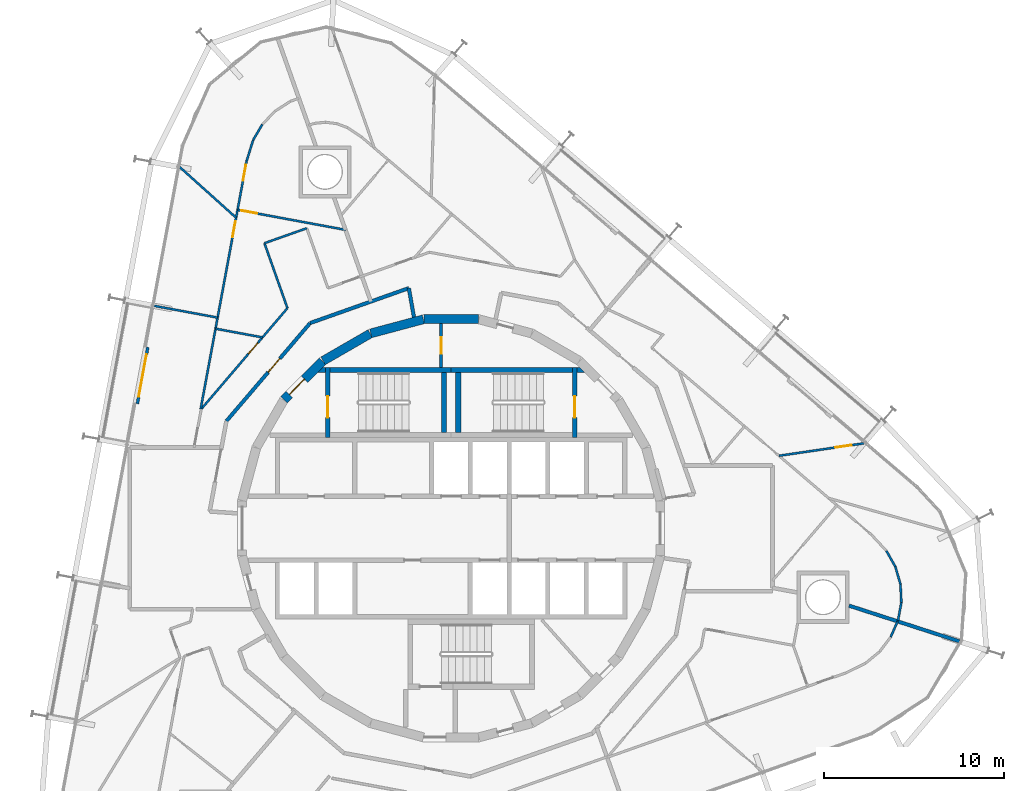
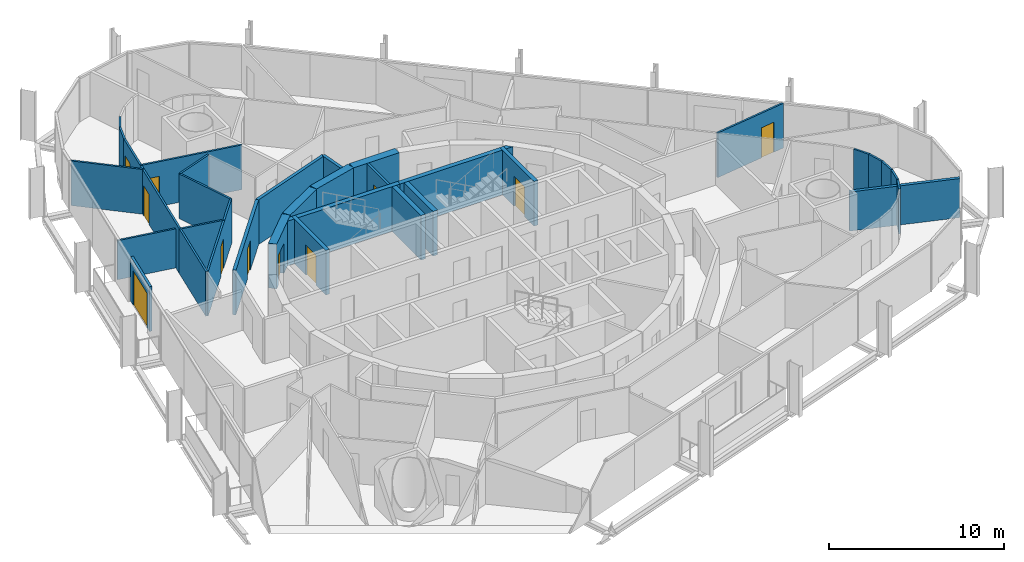
# One storey, part 14 of 17: 35 walls, 11 doors, 11 openings.
"""IFC4 building model written with IfcOpenShell, lengths in metres."""

from ifc_helpers import new_model, si_unit, direction, frame, frame_2d, origin, place, context, subcontext, project, spatial, polyline, rectangle, outline, extrude, material, layer, layer_set, type_object, element, fill, save


model = new_model("IFC4")

# Units and contexts
model_context = context("Model", 3, precision=1e-05, world=origin(), true_north=direction((0.0, 1.0)))
body_context = subcontext(model_context, "Body", "Model", "MODEL_VIEW")
ifc_project = project(units=[si_unit("LENGTHUNIT", "METRE"), si_unit("AREAUNIT", "SQUARE_METRE"), si_unit("VOLUMEUNIT", "CUBIC_METRE"), si_unit("PLANEANGLEUNIT", "RADIAN"), si_unit("MASSUNIT", "GRAM", prefix="KILO")], contexts=[model_context])

# Site, building, storey
site_placement = place(None, origin())
site = spatial("IfcSite", under=ifc_project, at=site_placement, CompositionType="ELEMENT")
building_placement = place(site_placement, origin())
building = spatial("IfcBuilding", under=site, at=building_placement, Name="Spindle Arch Residences", CompositionType="ELEMENT")
storey_placement = place(building_placement, frame((0.0, 0.0, 162.199951171875)))
storey = spatial("IfcBuildingStorey", under=building, at=storey_placement, Name="L40", CompositionType="ELEMENT", Elevation=162.199951171875)

# Walls
ifc_material_1 = material(Name="Concrete C50/60", Category="concrete")
ifc_layer_1 = layer(ifc_material_1, 0.5)
ifc_layer_set_1 = layer_set([ifc_layer_1], Name="Core outline wall 500")
wall_type_1 = type_object("IfcWallType", Name="Core outline wall 500", PredefinedType="SHEAR", material=ifc_layer_set_1)
for number, where, z_axis, x_axis, name in (
    (1, (1.516357421875, 11.647216796875, 0.0), (0.0, 0.0, 1.0), (-1.0, 0.0, 0.0), "Core outline wall 12"),
    (2, (-1.5498046875, 11.642822265625, 0.0), (0.0, 0.0, 1.0), (-0.965948410781, -0.258734743916, 0.0), "Core outline wall 13"),
    (3, (-4.510498046875, 10.84521484375, 0.0), (0.0, 0.0, 1.0), (-0.865975092491, -0.500087131594, 0.0), "Core outline wall 14"),
):
    element("IfcWall", number, at=place(storey_placement, frame(where, z_axis=z_axis, x_axis=x_axis)), inside=storey, type_object=wall_type_1, Name=name, PredefinedType="SHEAR", context=body_context, shape_type="SweptSolid", body=[
        extrude(rectangle(XDim=3.03271484375, YDim=0.5, at=frame_2d((1.516357421875, 0.0))), origin(), (0.0, 0.0, 1.0), 3.1201171875),
    ])

# Wall, opening, door
wall_1_placement = place(storey_placement, frame((-7.163818359375, 9.30810546875, 0.0), z_axis=(0.0, 0.0, 1.0), x_axis=(-0.707106781187, -0.707106781187, 0.0)))
wall_1 = element("IfcWall", 4, at=wall_1_placement, inside=storey, type_object=wall_type_1, Name="Core outline wall 15", PredefinedType="SHEAR", context=body_context, shape_type="SweptSolid", body=[
    extrude(rectangle(XDim=3.032470703125, YDim=0.5, at=frame_2d((1.51611328125, 0.0))), origin(), (0.0, 0.0, 1.0), 3.1201171875),
])
opening_1_placement = place(wall_1_placement, frame((1.416259765625, 0.0, 0.0)))
opening_1 = element("IfcOpeningElement", 5, at=opening_1_placement, cuts=wall_1, Name="Opening R4B1-AD02", PredefinedType="OPENING", context=body_context, shape_type="SweptSolid", body=[
    extrude(rectangle(XDim=1.199951171875, YDim=2.10009765625, at=frame_2d((0.60009765625, 1.050048828125))), frame((0.0, 0.260009765625, 0.0), z_axis=(0.0, -1.0, 0.0), x_axis=(1.0, 0.0, 0.0)), (0.0, 0.0, 1.0), 0.52001953125),
])
ifc_material_2 = material(Name="Steel, fire-resisting door", Category="steel")
door_type_1 = type_object("IfcDoorType", Name="Stair airlock door 1200x2100", OperationType="SINGLE_SWING_LEFT", PredefinedType="DOOR", material=ifc_material_2)
door_1_placement = place(opening_1_placement, origin())
door_1 = element("IfcDoor", 6, at=door_1_placement, inside=storey, type_object=door_type_1, Name="Stair airlock door R4B1-AD02", OperationType="SINGLE_SWING_RIGHT", OverallHeight=2.10009765625, OverallWidth=1.199951171875, PredefinedType="DOOR", context=body_context, shape_type="SweptSolid", body=[
    extrude(rectangle(XDim=1.199951171875, YDim=2.10009765625, at=frame_2d((0.60009765625, 1.050048828125))), frame((0.0, 0.02490234375, 0.0), z_axis=(0.0, -1.0, 0.0), x_axis=(1.0, 0.0, 0.0)), (0.0, 0.0, 1.0), 0.050048828125),
])
fill(opening_1, door_1)

# Walls
ifc_material_3 = material(Name="Calcium silicate block, plastered")
ifc_layer_2 = layer(ifc_material_3, 0.199951171875)
ifc_layer_set_2 = layer_set([ifc_layer_2], Name="Corridor wall 200")
wall_type_2 = type_object("IfcWallType", Name="Corridor wall 200", PredefinedType="STANDARD", material=ifc_layer_set_2)
wall_2_placement = place(storey_placement, frame((-2.07373046875, 11.76123046875, 0.0), z_axis=(0.0, 0.0, 1.0), x_axis=(-0.1736412798, 0.984808969267, 0.0)))
element("IfcWall", 7, at=wall_2_placement, inside=storey, type_object=wall_type_2, Name="Corridor wall R4B1-W009", PredefinedType="STANDARD", context=body_context, shape_type="SweptSolid", body=[
    extrude(rectangle(XDim=1.6435546875, YDim=0.199951171875, at=frame_2d((0.82177734375, 0.0))), origin(), (0.0, 0.0, 1.0), 3.1201171875),
])
wall_3_placement = place(storey_placement, frame((-2.359130859375, 13.3798828125, 0.0), z_axis=(0.0, 0.0, 1.0), x_axis=(-0.942647529236, -0.333789807551, 0.0)))
element("IfcWall", 8, at=wall_3_placement, inside=storey, type_object=wall_type_2, Name="Corridor wall R4B1-W010", PredefinedType="STANDARD", context=body_context, shape_type="SweptSolid", body=[
    extrude(rectangle(XDim=5.8330078125, YDim=0.199951171875, at=frame_2d((2.91650390625, 0.0))), origin(), (0.0, 0.0, 1.0), 3.1201171875),
])

# Wall, opening, door
wall_4_placement = place(storey_placement, frame((-7.857666015625, 11.432861328125, 0.0), z_axis=(0.0, 0.0, 1.0), x_axis=(-0.649440801937, -0.760412154545, 0.0)))
wall_4 = element("IfcWall", 9, at=wall_4_placement, inside=storey, type_object=wall_type_2, Name="Corridor wall R4B1-W011", PredefinedType="STANDARD", context=body_context, shape_type="SweptSolid", body=[
    extrude(rectangle(XDim=7.180908203125, YDim=0.199951171875, at=frame_2d((3.59033203125, 0.0))), origin(), (0.0, 0.0, 1.0), 3.1201171875),
])
opening_2_placement = place(wall_4_placement, frame((2.60009765625, 0.0, 0.0)))
opening_2 = element("IfcOpeningElement", 10, at=opening_2_placement, cuts=wall_4, Name="Opening R4B1-FD03", PredefinedType="OPENING", context=body_context, shape_type="SweptSolid", body=[
    extrude(rectangle(XDim=1.0, YDim=2.10009765625, at=frame_2d((0.5, 1.050048828125))), frame((0.0, 0.10986328125, 0.0), z_axis=(0.0, -1.0, 0.0), x_axis=(1.0, 0.0, 0.0)), (0.0, 0.0, 1.0), 0.219970703125),
])
ifc_material_4 = material(Name="Timber, fire-resisting door set", Category="wood")
door_type_2 = type_object("IfcDoorType", Name="Flat entrance door 1000x2100", OperationType="NOTDEFINED", PredefinedType="DOOR", material=ifc_material_4)
door_2_placement = place(opening_2_placement, origin())
door_2 = element("IfcDoor", 11, at=door_2_placement, inside=storey, type_object=door_type_2, Name="Flat entrance door R4B1-FD03", OperationType="SINGLE_SWING_LEFT", OverallHeight=2.10009765625, OverallWidth=1.0, PredefinedType="DOOR", context=body_context, shape_type="SweptSolid", body=[
    extrude(rectangle(XDim=1.0, YDim=2.10009765625, at=frame_2d((0.5, 1.050048828125))), frame((0.0, 0.02490234375, 0.0), z_axis=(0.0, -1.0, 0.0), x_axis=(1.0, 0.0, 0.0)), (0.0, 0.0, 1.0), 0.050048828125),
])
fill(opening_2, door_2)

ifc_material_5 = material(Name="Plasterboard on steel studs", Category="steel")
ifc_layer_3 = layer(ifc_material_5, 0.1201171875)
ifc_layer_set_3 = layer_set([ifc_layer_3], Name="Flat partition 120")
wall_type_3 = type_object("IfcWallType", Name="Flat partition 120", PredefinedType="PARTITIONING", material=ifc_layer_set_3)
wall_5_placement = place(storey_placement, frame((22.99365234375, 4.73388671875, 0.0), z_axis=(0.0, 0.0, 1.0), x_axis=(-0.989449286977, -0.144879634529, 0.0)))
wall_5 = element("IfcWall", 12, at=wall_5_placement, inside=storey, type_object=wall_type_3, Name="Flat partition R4B1-W046", PredefinedType="PARTITIONING", context=body_context, shape_type="SweptSolid", body=[
    extrude(rectangle(XDim=4.782470703125, YDim=0.1201171875, at=frame_2d((2.39111328125, 0.0))), origin(), (0.0, 0.0, 1.0), 3.1201171875),
])
opening_3_placement = place(wall_5_placement, frame((0.699951171875, 0.0, 0.0)))
opening_3 = element("IfcOpeningElement", 13, at=opening_3_placement, cuts=wall_5, Name="Opening R4B1-ID03", PredefinedType="OPENING", context=body_context, shape_type="SweptSolid", body=[
    extrude(rectangle(XDim=0.89990234375, YDim=2.10009765625, at=frame_2d((0.449951171875, 1.050048828125))), frame((0.0, 0.070068359375, 0.0), z_axis=(0.0, -1.0, 0.0), x_axis=(1.0, 0.0, 0.0)), (0.0, 0.0, 1.0), 0.14013671875),
])
ifc_material_6 = material(Name="Timber door set", Category="wood")
door_type_3 = type_object("IfcDoorType", Name="Room door 900x2100", OperationType="NOTDEFINED", PredefinedType="DOOR", material=ifc_material_6)
door_3_placement = place(opening_3_placement, origin())
door_3 = element("IfcDoor", 14, at=door_3_placement, inside=storey, type_object=door_type_3, Name="Room door R4B1-ID03", OperationType="SINGLE_SWING_LEFT", OverallHeight=2.10009765625, OverallWidth=0.89990234375, PredefinedType="DOOR", context=body_context, shape_type="SweptSolid", body=[
    extrude(rectangle(XDim=0.89990234375, YDim=2.10009765625, at=frame_2d((0.449951171875, 1.050048828125))), frame((0.0, 0.02490234375, 0.0), z_axis=(0.0, -1.0, 0.0), x_axis=(1.0, 0.0, 0.0)), (0.0, 0.0, 1.0), 0.050048828125),
])
fill(opening_3, door_3)

# Walls
for number, where, z_axis, x_axis, name in (
    (15, (24.893798828125, -5.130615234375, 0.0), (0.0, 0.0, 1.0), (0.182140887528, 0.983272442963, 0.0), "Flat partition R4B1-W048"),
    (16, (25.078857421875, -4.131591796875, 0.0), (0.0, 0.0, 1.0), (-0.049494233422, 0.998774409393, 0.0), "Flat partition R4B1-W049"),
):
    element("IfcWall", number, at=place(storey_placement, frame(where, z_axis=z_axis, x_axis=x_axis)), inside=storey, type_object=wall_type_3, Name=name, PredefinedType="PARTITIONING", context=body_context, shape_type="SweptSolid", body=[
        extrude(rectangle(XDim=1.01611328125, YDim=0.1201171875, at=frame_2d((0.508056640625, 0.0))), origin(), (0.0, 0.0, 1.0), 3.1201171875),
    ])
for number, where, z_axis, x_axis, name in (
    (17, (25.028564453125, -3.11669921875, 0.0), (0.0, 0.0, 1.0), (-0.278559922069, 0.96041885124, 0.0), "Flat partition R4B1-W050"),
    (18, (24.74560546875, -2.14111328125, 0.0), (0.0, 0.0, 1.0), (-0.492199796518, 0.870482257319, 0.0), "Flat partition R4B1-W051"),
):
    element("IfcWall", number, at=place(storey_placement, frame(where, z_axis=z_axis, x_axis=x_axis)), inside=storey, type_object=wall_type_3, Name=name, PredefinedType="PARTITIONING", context=body_context, shape_type="SweptSolid", body=[
        extrude(rectangle(XDim=1.015869140625, YDim=0.1201171875, at=frame_2d((0.5078125, 0.0))), origin(), (0.0, 0.0, 1.0), 3.1201171875),
    ])
wall_6_placement = place(storey_placement, frame((-8.045166015625, 16.71630859375, 0.0), z_axis=(0.0, 0.0, 1.0), x_axis=(-0.942640030216, -0.333810984592, 0.0)))
element("IfcWall", 19, at=wall_6_placement, inside=storey, type_object=wall_type_3, Name="Flat partition R4B1-W069", PredefinedType="PARTITIONING", context=body_context, shape_type="SweptSolid", body=[
    extrude(rectangle(XDim=2.499755859375, YDim=0.1201171875, at=frame_2d((1.25, 0.0))), origin(), (0.0, 0.0, 1.0), 3.1201171875),
])
wall_7_placement = place(storey_placement, frame((-10.401611328125, 15.8818359375, 0.0), z_axis=(0.0, 0.0, 1.0), x_axis=(0.33382476952, -0.942635148536, 0.0)))
element("IfcWall", 20, at=wall_7_placement, inside=storey, type_object=wall_type_3, Name="Flat partition R4B1-W070", PredefinedType="PARTITIONING", context=body_context, shape_type="SweptSolid", body=[
    extrude(rectangle(XDim=3.838134765625, YDim=0.1201171875, at=frame_2d((1.9189453125, 0.0))), origin(), (0.0, 0.0, 1.0), 3.1201171875),
])

# Wall, opening, door
wall_8_placement = place(storey_placement, frame((-9.120361328125, 12.263916015625, 0.0), z_axis=(0.0, 0.0, 1.0), x_axis=(-0.649444490942, -0.760409003882, 0.0)))
wall_8 = element("IfcWall", 21, at=wall_8_placement, inside=storey, type_object=wall_type_3, Name="Flat partition R4B1-W071", PredefinedType="PARTITIONING", context=body_context, shape_type="SweptSolid", body=[
    extrude(rectangle(XDim=7.394775390625, YDim=0.1201171875, at=frame_2d((3.697265625, 0.0))), origin(), (0.0, 0.0, 1.0), 3.1201171875),
])
opening_4_placement = place(wall_8_placement, frame((2.54150390625, 0.0, 0.0)))
opening_4 = element("IfcOpeningElement", 22, at=opening_4_placement, cuts=wall_8, Name="Opening R4B1-BD03", PredefinedType="OPENING", context=body_context, shape_type="SweptSolid", body=[
    extrude(rectangle(XDim=0.800048828125, YDim=2.10009765625, at=frame_2d((0.39990234375, 1.050048828125))), frame((0.0, 0.070068359375, 0.0), z_axis=(0.0, -1.0, 0.0), x_axis=(1.0, 0.0, 0.0)), (0.0, 0.0, 1.0), 0.14013671875),
])
ifc_material_7 = material(Name="Timber door set", Category="wood")
door_type_4 = type_object("IfcDoorType", Name="Bathroom door 800x2100", OperationType="NOTDEFINED", PredefinedType="DOOR", material=ifc_material_7)
door_4_placement = place(opening_4_placement, origin())
door_4 = element("IfcDoor", 23, at=door_4_placement, inside=storey, type_object=door_type_4, Name="Bathroom door R4B1-BD03", OperationType="SINGLE_SWING_LEFT", OverallHeight=2.10009765625, OverallWidth=0.800048828125, PredefinedType="DOOR", context=body_context, shape_type="SweptSolid", body=[
    extrude(rectangle(XDim=0.800048828125, YDim=2.10009765625, at=frame_2d((0.39990234375, 1.050048828125))), frame((0.0, 0.02490234375, 0.0), z_axis=(0.0, -1.0, 0.0), x_axis=(1.0, 0.0, 0.0)), (0.0, 0.0, 1.0), 0.050048828125),
])
fill(opening_4, door_4)

# Walls
wall_9_placement = place(storey_placement, frame((-13.955322265625, 6.64697265625, 0.0), z_axis=(0.0, 0.0, 1.0), x_axis=(0.182264522222, 0.983249532896, 0.0)))
element("IfcWall", 24, at=wall_9_placement, inside=storey, type_object=wall_type_3, Name="Flat partition R4B1-W073", PredefinedType="PARTITIONING", context=body_context, shape_type="SweptSolid", body=[
    extrude(rectangle(XDim=4.589111328125, YDim=0.1201171875, at=frame_2d((2.29443359375, 0.0))), origin(), (0.0, 0.0, 1.0), 3.1201171875),
])
wall_10_placement = place(storey_placement, frame((-10.518798828125, 22.501220703125, 0.0), z_axis=(0.0, 0.0, 1.0), x_axis=(-0.507198615628, -0.861829196712, 0.0)))
element("IfcWall", 25, at=wall_10_placement, inside=storey, type_object=wall_type_3, Name="Flat partition R4B1-W077", PredefinedType="PARTITIONING", context=body_context, shape_type="SweptSolid", body=[
    extrude(rectangle(XDim=1.01611328125, YDim=0.1201171875, at=frame_2d((0.508056640625, 0.0))), origin(), (0.0, 0.0, 1.0), 3.1201171875),
])
wall_11_placement = place(storey_placement, frame((-11.0341796875, 21.62548828125, 0.0), z_axis=(0.0, 0.0, 1.0), x_axis=(-0.295260042089, -0.955416928647, 0.0)))
element("IfcWall", 26, at=wall_11_placement, inside=storey, type_object=wall_type_3, Name="Flat partition R4B1-W078", PredefinedType="PARTITIONING", context=body_context, shape_type="SweptSolid", body=[
    extrude(rectangle(XDim=1.22705078125, YDim=0.1201171875, at=frame_2d((0.613525390625, 0.0))), origin(), (0.0, 0.0, 1.0), 3.1201171875),
])

# Wall, openings, doors
wall_12_placement = place(storey_placement, frame((-11.396484375, 20.453125, 0.0), z_axis=(0.0, 0.0, 1.0), x_axis=(-0.182223370439, -0.983257160292, 0.0)))
wall_12 = element("IfcWall", 27, at=wall_12_placement, inside=storey, type_object=wall_type_3, Name="Flat partition R4B1-W079", PredefinedType="PARTITIONING", context=body_context, shape_type="SweptSolid", body=[
    extrude(rectangle(XDim=9.4521484375, YDim=0.1201171875, at=frame_2d((4.72607421875, 0.0))), origin(), (0.0, 0.0, 1.0), 3.1201171875),
])
opening_5_placement = place(wall_12_placement, frame((3.405517578125, 0.0, 0.0)))
opening_5 = element("IfcOpeningElement", 28, at=opening_5_placement, cuts=wall_12, Name="Opening R4B1-ID15", PredefinedType="OPENING", context=body_context, shape_type="SweptSolid", body=[
    extrude(rectangle(XDim=0.89990234375, YDim=2.10009765625, at=frame_2d((0.449951171875, 1.050048828125))), frame((0.0, 0.070068359375, 0.0), z_axis=(0.0, -1.0, 0.0), x_axis=(1.0, 0.0, 0.0)), (0.0, 0.0, 1.0), 0.14013671875),
])
opening_6_placement = place(wall_12_placement, frame((0.199951171875, 0.0, 0.0)))
opening_6 = element("IfcOpeningElement", 29, at=opening_6_placement, cuts=wall_12, Name="Opening R4B1-ID16", PredefinedType="OPENING", context=body_context, shape_type="SweptSolid", body=[
    extrude(rectangle(XDim=0.89990234375, YDim=2.10009765625, at=frame_2d((0.449951171875, 1.050048828125))), frame((0.0, 0.070068359375, 0.0), z_axis=(0.0, -1.0, 0.0), x_axis=(1.0, 0.0, 0.0)), (0.0, 0.0, 1.0), 0.14013671875),
])
door_5_placement = place(opening_5_placement, origin())
door_5 = element("IfcDoor", 30, at=door_5_placement, inside=storey, type_object=door_type_3, Name="Room door R4B1-ID15", OperationType="SINGLE_SWING_LEFT", OverallHeight=2.10009765625, OverallWidth=0.89990234375, PredefinedType="DOOR", context=body_context, shape_type="SweptSolid", body=[
    extrude(rectangle(XDim=0.89990234375, YDim=2.10009765625, at=frame_2d((0.449951171875, 1.050048828125))), frame((0.0, 0.02490234375, 0.0), z_axis=(0.0, -1.0, 0.0), x_axis=(1.0, 0.0, 0.0)), (0.0, 0.0, 1.0), 0.050048828125),
])
fill(opening_5, door_5)
door_6_placement = place(opening_6_placement, origin())
door_6 = element("IfcDoor", 31, at=door_6_placement, inside=storey, type_object=door_type_3, Name="Room door R4B1-ID16", OperationType="SINGLE_SWING_LEFT", OverallHeight=2.10009765625, OverallWidth=0.89990234375, PredefinedType="DOOR", context=body_context, shape_type="SweptSolid", body=[
    extrude(rectangle(XDim=0.89990234375, YDim=2.10009765625, at=frame_2d((0.449951171875, 1.050048828125))), frame((0.0, 0.02490234375, 0.0), z_axis=(0.0, -1.0, 0.0), x_axis=(1.0, 0.0, 0.0)), (0.0, 0.0, 1.0), 0.050048828125),
])
fill(opening_6, door_6)

# Wall, opening, door
wall_13_placement = place(storey_placement, frame((-11.8994140625, 17.739990234375, 0.0), z_axis=(0.0, 0.0, 1.0), x_axis=(0.983254721409, -0.182236529889, 0.0)))
wall_13 = element("IfcWall", 32, at=wall_13_placement, inside=storey, type_object=wall_type_3, Name="Flat partition R4B1-W080", PredefinedType="PARTITIONING", context=body_context, shape_type="SweptSolid", body=[
    extrude(rectangle(XDim=6.1142578125, YDim=0.1201171875, at=frame_2d((3.05712890625, 0.0))), origin(), (0.0, 0.0, 1.0), 3.1201171875),
])
opening_7_placement = place(wall_13_placement, frame((0.199951171875, 0.0, 0.0)))
opening_7 = element("IfcOpeningElement", 33, at=opening_7_placement, cuts=wall_13, Name="Opening R4B1-ID14", PredefinedType="OPENING", context=body_context, shape_type="SweptSolid", body=[
    extrude(rectangle(XDim=0.89990234375, YDim=2.10009765625, at=frame_2d((0.449951171875, 1.050048828125))), frame((0.0, 0.070068359375, 0.0), z_axis=(0.0, -1.0, 0.0), x_axis=(1.0, 0.0, 0.0)), (0.0, 0.0, 1.0), 0.14013671875),
])
door_7_placement = place(opening_7_placement, origin())
door_7 = element("IfcDoor", 34, at=door_7_placement, inside=storey, type_object=door_type_3, Name="Room door R4B1-ID14", OperationType="SINGLE_SWING_LEFT", OverallHeight=2.10009765625, OverallWidth=0.89990234375, PredefinedType="DOOR", context=body_context, shape_type="SweptSolid", body=[
    extrude(rectangle(XDim=0.89990234375, YDim=2.10009765625, at=frame_2d((0.449951171875, 1.050048828125))), frame((0.0, 0.02490234375, 0.0), z_axis=(0.0, -1.0, 0.0), x_axis=(1.0, 0.0, 0.0)), (0.0, 0.0, 1.0), 0.050048828125),
])
fill(opening_7, door_7)

# Walls
wall_14_placement = place(storey_placement, frame((-15.119140625, 20.122314453125, 0.0), z_axis=(0.0, 0.0, 1.0), x_axis=(0.743711124749, -0.668501131581, 0.0)))
element("IfcWall", 35, at=wall_14_placement, inside=storey, type_object=wall_type_3, Name="Flat partition R4B1-W081", PredefinedType="PARTITIONING", context=body_context, shape_type="SweptSolid", body=[
    extrude(rectangle(XDim=4.219970703125, YDim=0.1201171875, at=frame_2d((2.10986328125, 0.0))), origin(), (0.0, 0.0, 1.0), 3.1201171875),
])
wall_15_placement = place(storey_placement, frame((-13.126220703125, 11.1201171875, 0.0), z_axis=(0.0, 0.0, 1.0), x_axis=(0.983257646361, -0.182220747645, 0.0)))
element("IfcWall", 36, at=wall_15_placement, inside=storey, type_object=wall_type_3, Name="Flat partition R4B1-W082", PredefinedType="PARTITIONING", context=body_context, shape_type="SweptSolid", body=[
    extrude(rectangle(XDim=2.659423828125, YDim=0.1201171875, at=frame_2d((1.32958984375, 0.0))), origin(), (0.0, 0.0, 1.0), 3.1201171875),
])
wall_16_placement = place(storey_placement, frame((24.8701171875, -5.18408203125, 0.0), z_axis=(0.0, 0.0, 1.0), x_axis=(-0.404173771344, -0.914682219439, 0.0)))
element("IfcWall", 37, at=wall_16_placement, inside=storey, type_object=wall_type_3, Name="Flat partition R4B1-W121", PredefinedType="PARTITIONING", context=body_context, shape_type="SweptSolid", body=[
    extrude(rectangle(XDim=0.95751953125, YDim=0.1201171875, at=frame_2d((0.478759765625, 0.0))), origin(), (0.0, 0.0, 1.0), 3.1201171875),
])
ifc_material_8 = material(Name="Plasterboard on steel studs", Category="steel")
ifc_layer_4 = layer(ifc_material_8, 0.1201171875)
ifc_layer_set_4 = layer_set([ifc_layer_4], Name="Flat partition 120 under beam 2730")
wall_type_4 = type_object("IfcWallType", Name="Flat partition 120 under beam 2730", PredefinedType="PARTITIONING", material=ifc_layer_set_4)
wall_17_placement = place(storey_placement, frame((-16.551513671875, 12.393798828125, 0.0), z_axis=(0.0, 0.0, 1.0), x_axis=(0.983257712156, -0.182220392618, 0.0)))
element("IfcWall", 38, at=wall_17_placement, inside=storey, type_object=wall_type_4, Name="Flat partition R4B1-W083", PredefinedType="PARTITIONING", context=body_context, shape_type="SweptSolid", body=[
    extrude(rectangle(XDim=3.60009765625, YDim=0.1201171875, at=frame_2d((1.800048828125, 0.0))), origin(), (0.0, 0.0, 1.0), 2.72998046875),
])
ifc_material_9 = material(Name="Calcium silicate block, plastered")
ifc_layer_5 = layer(ifc_material_9, 0.199951171875)
ifc_layer_set_5 = layer_set([ifc_layer_5], Name="Flat party wall 200 under beam 2730")
wall_type_5 = type_object("IfcWallType", Name="Flat party wall 200 under beam 2730", PredefinedType="STANDARD", material=ifc_layer_set_5)
wall_18_placement = place(storey_placement, frame((22.1630859375, -4.30810546875, 0.0), z_axis=(0.0, 0.0, 1.0), x_axis=(0.951422718769, -0.307887658426, 0.0)))
element("IfcWall", 39, at=wall_18_placement, inside=storey, type_object=wall_type_5, Name="Flat party wall R4B1-W030", PredefinedType="STANDARD", context=body_context, shape_type="SweptSolid", body=[
    extrude(rectangle(XDim=6.464111328125, YDim=0.199951171875, at=frame_2d((3.23193359375, 0.0))), origin(), (0.0, 0.0, 1.0), 2.72998046875),
])

# Wall, opening, door
ifc_material_10 = material(Name="Non-combustible mineral wool insulated aluminium faced external wall (K0)", Category="aluminium")
ifc_layer_6 = layer(ifc_material_10, 0.159912109375)
ifc_layer_set_6 = layer_set([ifc_layer_6], Name="Insulated external wall panel 160")
wall_type_6 = type_object("IfcWallType", Name="Insulated external wall panel 160", PredefinedType="STANDARD", material=ifc_layer_set_6)
wall_19_placement = place(storey_placement, frame((-16.8974609375, 10.08837890625, 0.0), z_axis=(0.0, 0.0, 1.0), x_axis=(-0.18226136951, -0.983250117307, 0.0)))
wall_19 = element("IfcWall", 40, at=wall_19_placement, inside=storey, type_object=wall_type_6, Name="External wall L40 bay 14", PredefinedType="STANDARD", context=body_context, shape_type="SweptSolid", body=[
    extrude(rectangle(XDim=3.2001953125, YDim=0.159912109375, at=frame_2d((1.60009765625, 0.0))), origin(), (0.0, 0.0, 1.0), 3.1201171875),
])
opening_8_placement = place(wall_19_placement, frame((0.39990234375, 0.0, 0.0)))
opening_8 = element("IfcOpeningElement", 41, at=opening_8_placement, cuts=wall_19, Name="Opening BD14", PredefinedType="OPENING", context=body_context, shape_type="SweptSolid", body=[
    extrude(rectangle(XDim=2.39990234375, YDim=2.39990234375, at=frame_2d((1.199951171875, 1.199951171875))), frame((0.0, 0.08984375, 0.0), z_axis=(0.0, -1.0, 0.0), x_axis=(1.0, 0.0, 0.0)), (0.0, 0.0, 1.0), 0.179931640625),
])
ifc_material_11 = material(Name="Bronze aluminium frame, tinted double glazing", Category="aluminium")
door_type_5 = type_object("IfcDoorType", Name="Sliding glazed balcony door 2400x2400", OperationType="DOUBLE_DOOR_SLIDING", PredefinedType="DOOR", material=ifc_material_11)
door_8_placement = place(opening_8_placement, origin())
door_8 = element("IfcDoor", 42, at=door_8_placement, inside=storey, type_object=door_type_5, Name="Balcony door BD14", OperationType="DOUBLE_DOOR_SLIDING", OverallHeight=2.39990234375, OverallWidth=2.39990234375, PredefinedType="DOOR", context=body_context, shape_type="SweptSolid", body=[
    extrude(rectangle(XDim=2.39990234375, YDim=2.39990234375, at=frame_2d((1.199951171875, 1.199951171875))), frame((0.0, 0.02490234375, 0.0), z_axis=(0.0, -1.0, 0.0), x_axis=(1.0, 0.0, 0.0)), (0.0, 0.0, 1.0), 0.050048828125),
])
fill(opening_8, door_8)

ifc_material_12 = material(Name="Concrete C25/30", Category="concrete")
ifc_layer_7 = layer(ifc_material_12, 0.14990234375)
ifc_layer_set_7 = layer_set([ifc_layer_7], Name="Service room partition 150")
wall_type_7 = type_object("IfcWallType", Name="Service room partition 150", PredefinedType="PARTITIONING", material=ifc_layer_set_7)
wall_20_placement = place(storey_placement, frame((-0.5615234375, 8.969970703125, 0.0), z_axis=(0.0, 0.0, 1.0), x_axis=(0.0, 1.0, 0.0)))
wall_20 = element("IfcWall", 43, at=wall_20_placement, inside=storey, type_object=wall_type_7, Name="Core service room partition", PredefinedType="PARTITIONING", context=body_context, shape_type="SweptSolid", body=[
    extrude(rectangle(XDim=2.42724609375, YDim=0.14990234375, at=frame_2d((1.213623046875, 0.0))), origin(), (0.0, 0.0, 1.0), 3.1201171875),
])
opening_9_placement = place(wall_20_placement, frame((0.763671875, 0.0, 0.0)))
opening_9 = element("IfcOpeningElement", 44, at=opening_9_placement, cuts=wall_20, Name="Opening R4B1-WD05", PredefinedType="OPENING", context=body_context, shape_type="SweptSolid", body=[
    extrude(rectangle(XDim=0.89990234375, YDim=2.10009765625, at=frame_2d((0.449951171875, 1.050048828125))), frame((0.0, 0.0849609375, 0.0), z_axis=(0.0, -1.0, 0.0), x_axis=(1.0, 0.0, 0.0)), (0.0, 0.0, 1.0), 0.169921875),
])
ifc_material_13 = material(Name="Steel, fire-resisting door", Category="steel")
door_type_6 = type_object("IfcDoorType", Name="Service room door 900x2100", OperationType="SINGLE_SWING_LEFT", PredefinedType="DOOR", material=ifc_material_13)
door_9_placement = place(opening_9_placement, origin())
door_9 = element("IfcDoor", 45, at=door_9_placement, inside=storey, type_object=door_type_6, Name="Service room door R4B1-WD05", OperationType="SINGLE_SWING_LEFT", OverallHeight=2.10009765625, OverallWidth=0.89990234375, PredefinedType="DOOR", context=body_context, shape_type="SweptSolid", body=[
    extrude(rectangle(XDim=0.89990234375, YDim=2.10009765625, at=frame_2d((0.449951171875, 1.050048828125))), frame((0.0, 0.02490234375, 0.0), z_axis=(0.0, -1.0, 0.0), x_axis=(1.0, 0.0, 0.0)), (0.0, 0.0, 1.0), 0.050048828125),
])
fill(opening_9, door_9)

# Walls
ifc_material_14 = material(Name="Concrete C40/50", Category="concrete")
wall_type_8 = type_object("IfcWallType", Name="Stair airlock wall profile", PredefinedType="SHEAR", material=ifc_material_14)
wall_21_placement = place(storey_placement, origin())
element("IfcWall", 46, at=wall_21_placement, inside=storey, type_object=wall_type_8, Name="Stair ST-1 airlock wall N", PredefinedType="SHEAR", context=body_context, shape_type="SweptSolid", body=[
    extrude(outline(polyline([(7.4482421875, 8.669921875), (7.0, 8.669921875), (7.0, 8.969970703125), (7.148193359375, 8.969970703125), (7.4482421875, 8.669921875)])), origin(), (0.0, 0.0, 1.0), 3.1201171875),
])
wall_22_placement = place(storey_placement, origin())
element("IfcWall", 47, at=wall_22_placement, inside=storey, type_object=wall_type_8, Name="Stair ST-2 airlock wall N", PredefinedType="SHEAR", context=body_context, shape_type="SweptSolid", body=[
    extrude(outline(polyline([(-7.148193359375, 8.969970703125), (-7.0, 8.969970703125), (-7.0, 8.669921875), (-7.4482421875, 8.669921875), (-7.148193359375, 8.969970703125)])), origin(), (0.0, 0.0, 1.0), 3.1201171875),
])

# Wall, opening, door
ifc_material_15 = material(Name="Concrete C50/60", Category="concrete")
ifc_layer_8 = layer(ifc_material_15, 0.25)
ifc_layer_set_8 = layer_set([ifc_layer_8], Name="Stair enclosure wall 250")
wall_type_9 = type_object("IfcWallType", Name="Stair enclosure wall 250", PredefinedType="SHEAR", material=ifc_layer_set_8)
wall_23_placement = place(storey_placement, frame((6.875, 5.050048828125, 0.0), z_axis=(0.0, 0.0, 1.0), x_axis=(0.0, 1.0, 0.0)))
wall_23 = element("IfcWall", 48, at=wall_23_placement, inside=storey, type_object=wall_type_9, Name="Stair ST-1 door wall", PredefinedType="SHEAR", context=body_context, shape_type="SweptSolid", body=[
    extrude(rectangle(XDim=3.919921875, YDim=0.25, at=frame_2d((1.9599609375, 0.0))), origin(), (0.0, 0.0, 1.0), 3.1201171875),
])
opening_10_placement = place(wall_23_placement, frame((1.110107421875, 0.0, 0.0)))
opening_10 = element("IfcOpeningElement", 49, at=opening_10_placement, cuts=wall_23, Name="Opening R4B1-SD01", PredefinedType="OPENING", context=body_context, shape_type="SweptSolid", body=[
    extrude(rectangle(XDim=1.199951171875, YDim=2.10009765625, at=frame_2d((0.60009765625, 1.050048828125))), frame((0.0, 0.135009765625, 0.0), z_axis=(0.0, -1.0, 0.0), x_axis=(1.0, 0.0, 0.0)), (0.0, 0.0, 1.0), 0.27001953125),
])
ifc_material_16 = material(Name="Steel, fire-resisting door", Category="steel")
door_type_7 = type_object("IfcDoorType", Name="Stair door 1200x2100", OperationType="SINGLE_SWING_RIGHT", PredefinedType="DOOR", material=ifc_material_16)
door_10_placement = place(opening_10_placement, origin())
door_10 = element("IfcDoor", 50, at=door_10_placement, inside=storey, type_object=door_type_7, Name="Stair door R4B1-SD01", OperationType="SINGLE_SWING_LEFT", OverallHeight=2.10009765625, OverallWidth=1.199951171875, PredefinedType="DOOR", context=body_context, shape_type="SweptSolid", body=[
    extrude(rectangle(XDim=1.199951171875, YDim=2.10009765625, at=frame_2d((0.60009765625, 1.050048828125))), frame((0.0, 0.02490234375, 0.0), z_axis=(0.0, -1.0, 0.0), x_axis=(1.0, 0.0, 0.0)), (0.0, 0.0, 1.0), 0.050048828125),
])
fill(opening_10, door_10)

wall_24_placement = place(storey_placement, frame((-6.875, 8.969970703125, 0.0), z_axis=(0.0, 0.0, 1.0), x_axis=(0.0, -1.0, 0.0)))
wall_24 = element("IfcWall", 51, at=wall_24_placement, inside=storey, type_object=wall_type_9, Name="Stair ST-2 door wall", PredefinedType="SHEAR", context=body_context, shape_type="SweptSolid", body=[
    extrude(rectangle(XDim=3.919921875, YDim=0.25, at=frame_2d((1.9599609375, 0.0))), origin(), (0.0, 0.0, 1.0), 3.1201171875),
])
opening_11_placement = place(wall_24_placement, frame((1.610107421875, 0.0, 0.0)))
opening_11 = element("IfcOpeningElement", 52, at=opening_11_placement, cuts=wall_24, Name="Opening R4B1-SD02", PredefinedType="OPENING", context=body_context, shape_type="SweptSolid", body=[
    extrude(rectangle(XDim=1.199951171875, YDim=2.10009765625, at=frame_2d((0.60009765625, 1.050048828125))), frame((0.0, 0.135009765625, 0.0), z_axis=(0.0, -1.0, 0.0), x_axis=(1.0, 0.0, 0.0)), (0.0, 0.0, 1.0), 0.27001953125),
])
door_11_placement = place(opening_11_placement, origin())
door_11 = element("IfcDoor", 53, at=door_11_placement, inside=storey, type_object=door_type_7, Name="Stair door R4B1-SD02", OperationType="SINGLE_SWING_LEFT", OverallHeight=2.10009765625, OverallWidth=1.199951171875, PredefinedType="DOOR", context=body_context, shape_type="SweptSolid", body=[
    extrude(rectangle(XDim=1.199951171875, YDim=2.10009765625, at=frame_2d((0.60009765625, 1.050048828125))), frame((0.0, 0.02490234375, 0.0), z_axis=(0.0, -1.0, 0.0), x_axis=(1.0, 0.0, 0.0)), (0.0, 0.0, 1.0), 0.050048828125),
])
fill(opening_11, door_11)

# Walls
ifc_material_17 = material(Name="Concrete C50/60", Category="concrete")
ifc_layer_9 = layer(ifc_material_17, 0.300048828125)
ifc_layer_set_9 = layer_set([ifc_layer_9], Name="Stair enclosure wall 300")
wall_type_10 = type_object("IfcWallType", Name="Stair enclosure wall 300", PredefinedType="SHEAR", material=ifc_layer_set_9)
wall_25_placement = place(storey_placement, frame((0.0, 8.820068359375, 0.0), z_axis=(0.0, 0.0, 1.0), x_axis=(1.0, 0.0, 0.0)))
element("IfcWall", 54, at=wall_25_placement, inside=storey, type_object=wall_type_10, Name="Stair ST-1 enclosure wall N", PredefinedType="SHEAR", context=body_context, shape_type="SweptSolid", body=[
    extrude(rectangle(XDim=6.75, YDim=0.300048828125, at=frame_2d((3.375, 0.0))), origin(), (0.0, 0.0, 1.0), 3.1201171875),
])
wall_26_placement = place(storey_placement, frame((0.39990234375, 5.35009765625, 0.0), z_axis=(0.0, 0.0, 1.0), x_axis=(0.0, 1.0, 0.0)))
element("IfcWall", 55, at=wall_26_placement, inside=storey, type_object=wall_type_10, Name="Stair ST-1 enclosure wall F", PredefinedType="SHEAR", context=body_context, shape_type="SweptSolid", body=[
    extrude(rectangle(XDim=3.31982421875, YDim=0.300048828125, at=frame_2d((1.659912109375, 0.0))), origin(), (0.0, 0.0, 1.0), 3.1201171875),
])
wall_27_placement = place(storey_placement, frame((-6.75, 8.820068359375, 0.0), z_axis=(0.0, 0.0, 1.0), x_axis=(1.0, 0.0, 0.0)))
element("IfcWall", 56, at=wall_27_placement, inside=storey, type_object=wall_type_10, Name="Stair ST-2 enclosure wall N", PredefinedType="SHEAR", context=body_context, shape_type="SweptSolid", body=[
    extrude(rectangle(XDim=6.75, YDim=0.300048828125, at=frame_2d((3.375, 0.0))), origin(), (0.0, 0.0, 1.0), 3.1201171875),
])
wall_28_placement = place(storey_placement, frame((-0.39990234375, 5.35009765625, 0.0), z_axis=(0.0, 0.0, 1.0), x_axis=(0.0, 1.0, 0.0)))
element("IfcWall", 57, at=wall_28_placement, inside=storey, type_object=wall_type_10, Name="Stair ST-2 enclosure wall F", PredefinedType="SHEAR", context=body_context, shape_type="SweptSolid", body=[
    extrude(rectangle(XDim=3.31982421875, YDim=0.300048828125, at=frame_2d((1.659912109375, 0.0))), origin(), (0.0, 0.0, 1.0), 3.1201171875),
])

save(model, "model.ifc")
